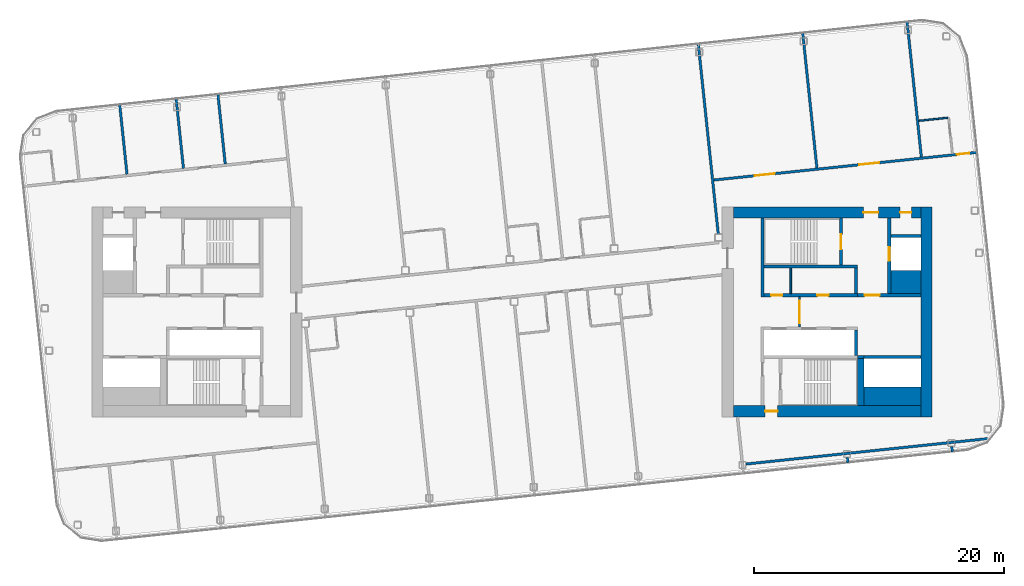
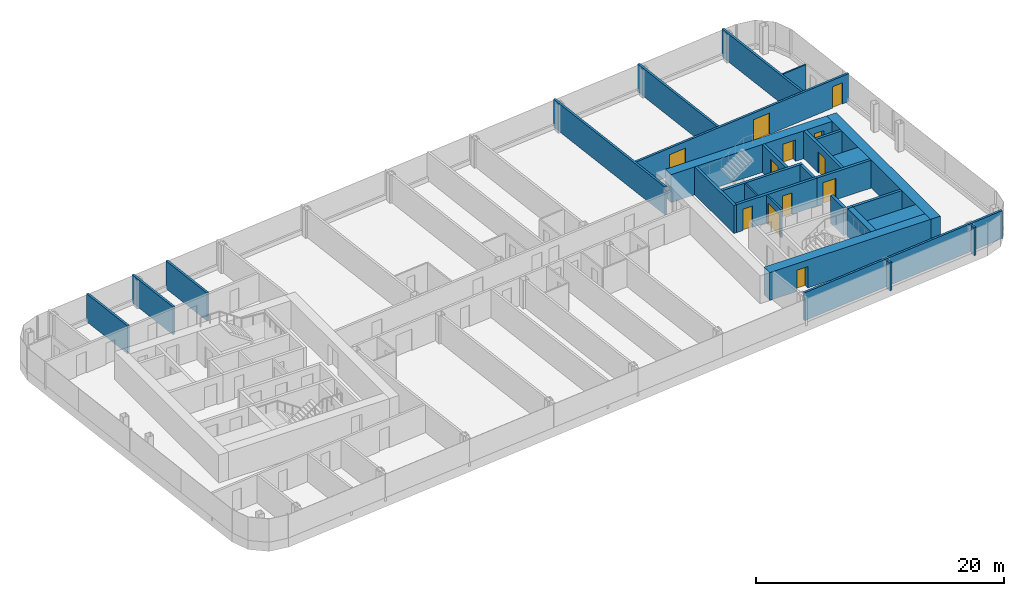
# One storey, part 17 of 27: 30 walls, 12 doors, 12 openings.
"""IFC4 building model written with IfcOpenShell, lengths in metres."""

import ifcopenshell
import ifcopenshell.guid

model = None  # the IFC model being written
_history = None  # IfcOwnerHistory: only IFC2X3 demands one
_inside = {}  # id of a spatial element -> (the spatial element, [elements in it])
_under = {}  # id of a project, library or spatial element -> (it, [spatial elements below it])
_declared = {}  # id of a project -> (the project, [libraries it declares])
_typed = {}  # id of a type object -> (the type object, [elements of that type])
_made_of = {}  # id of a material, layer set ... -> (it, [elements and type objects made of it])


def new_model(schema):
    """Start an empty IFC model of exactly this schema.

    Asked for "IFC4X3", IfcOpenShell would pick the latest addendum, in which some entities
    have other attributes; the version numbers below select the first issue.
    IFC2X3 requires an IfcOwnerHistory on every rooted entity: one is made here for all.
    """
    global model, _history
    if schema == "IFC4X3":
        model = ifcopenshell.file(schema_version=(4, 3, 0, 0))
    else:
        model = ifcopenshell.file(schema=schema)
    _inside.clear()
    _under.clear()
    _declared.clear()
    _typed.clear()
    _made_of.clear()
    _history = None
    if model.schema == "IFC2X3":
        org = make("IfcOrganization", Name="unknown")
        user = make(
            "IfcPersonAndOrganization",
            ThePerson=make("IfcPerson", FamilyName="unknown"),
            TheOrganization=org,
        )
        app = make(
            "IfcApplication",
            ApplicationDeveloper=org,
            Version="unknown",
            ApplicationFullName="unknown",
            ApplicationIdentifier="unknown",
        )
        _history = make(
            "IfcOwnerHistory",
            OwningUser=user,
            OwningApplication=app,
            ChangeAction="ADDED",
            CreationDate=0,
        )
    return model


def make(cls, **values):
    """One entity of the class cls with the attributes given. An attribute that is None is left unset."""
    return model.create_entity(
        cls, **{name: value for name, value in values.items() if value is not None}
    )


def rooted(cls, **values):
    """An entity with a GlobalId (a new one), such as an element, a storey or a relation."""
    return make(cls, GlobalId=ifcopenshell.guid.new(), OwnerHistory=_history, **values)


def si_unit(unit_type, name, prefix=None):
    """IfcSIUnit, for example si_unit("LENGTHUNIT", "METRE", prefix="MILLI")."""
    return make("IfcSIUnit", UnitType=unit_type, Prefix=prefix, Name=name)


def assignment(units):
    """IfcUnitAssignment: the units of a project."""
    return None if units is None else make("IfcUnitAssignment", Units=units)


def point(xyz):
    """IfcCartesianPoint."""
    return None if xyz is None else make("IfcCartesianPoint", Coordinates=xyz)


def direction(xyz):
    """IfcDirection."""
    return None if xyz is None else make("IfcDirection", DirectionRatios=xyz)


def frame(location, z_axis=None, x_axis=None):
    """IfcAxis2Placement3D, a coordinate frame: its origin and axes. An axis left out is left unset."""
    return make(
        "IfcAxis2Placement3D",
        Location=point(location),
        Axis=direction(z_axis),
        RefDirection=direction(x_axis),
    )


def frame_2d(location, x_axis=None):
    """IfcAxis2Placement2D, a coordinate frame in the plane: its origin and x axis."""
    return make(
        "IfcAxis2Placement2D", Location=point(location), RefDirection=direction(x_axis)
    )


def origin():
    """The frame at (0, 0, 0) with its axes left unset."""
    return frame((0.0, 0.0, 0.0))


def place(relative_to, where):
    """IfcLocalPlacement: puts the frame where relative to a parent placement (None: the world)."""
    return make(
        "IfcLocalPlacement", PlacementRelTo=relative_to, RelativePlacement=where
    )


def context(
    kind, dimensions, precision=None, world=None, true_north=None, identifier=None
):
    """IfcGeometricRepresentationContext, for example the 3D "Model" context."""
    return make(
        "IfcGeometricRepresentationContext",
        ContextIdentifier=identifier,
        ContextType=kind,
        CoordinateSpaceDimension=dimensions,
        Precision=precision,
        WorldCoordinateSystem=world,
        TrueNorth=true_north,
    )


def subcontext(parent, identifier, kind, view, scale=None):
    """IfcGeometricRepresentationSubContext, for example "Body" below "Model"."""
    return make(
        "IfcGeometricRepresentationSubContext",
        ContextIdentifier=identifier,
        ContextType=kind,
        ParentContext=parent,
        TargetScale=scale,
        TargetView=view,
    )


def project(units=None, contexts=None):
    """IfcProject with its units and contexts."""
    return rooted(
        "IfcProject",
        Name="project",
        RepresentationContexts=contexts,
        UnitsInContext=assignment(units),
    )


def spatial(cls, under=None, at=None, **own):
    """A site, building, storey or space (cls), placed at a placement, below another one or the project."""
    s = rooted(cls, ObjectPlacement=at, **own)
    if under is not None:
        _under.setdefault(under.id(), (under, []))[1].append(s)
    return s


def profile(cls, at=None, kind="AREA", **sizes):
    """A parametric profile (cls). Its sizes go by their IFC names, for example OverallWidth=200.0."""
    return make(cls, ProfileType=kind, Position=at, **sizes)


def rectangle(**sizes):
    """IfcRectangleProfileDef."""
    return profile("IfcRectangleProfileDef", **sizes)


def extrude(swept, where, along, depth):
    """IfcExtrudedAreaSolid: the profile swept, set in the frame where, extruded along a direction by depth."""
    return make(
        "IfcExtrudedAreaSolid",
        SweptArea=swept,
        Position=where,
        ExtrudedDirection=direction(along),
        Depth=depth,
    )


def shape(context_of_items, identifier, shape_type, items):
    """IfcShapeRepresentation: the items that make up one representation, for example the "Body"."""
    return make(
        "IfcShapeRepresentation",
        ContextOfItems=context_of_items,
        RepresentationIdentifier=identifier,
        RepresentationType=shape_type,
        Items=items,
    )


def material(Name=None, Category=None):
    """IfcMaterial."""
    return make("IfcMaterial", Name=Name, Category=Category)


def layer(
    of_material, thickness, ventilated=None, Name=None, Category=None, Priority=None
):
    """IfcMaterialLayer: one layer of a wall or slab, of a material (None: an air gap)."""
    return make(
        "IfcMaterialLayer",
        Material=of_material,
        LayerThickness=thickness,
        IsVentilated=ventilated,
        Name=Name,
        Category=Category,
        Priority=Priority,
    )


def layer_set(layers, Name=None):
    """IfcMaterialLayerSet."""
    return make("IfcMaterialLayerSet", MaterialLayers=layers, LayerSetName=Name)


def made_of(thing, what):
    """Note that an element or type object is made of a material, layer set ...; save() writes the relation."""
    if what is not None:
        _made_of.setdefault(what.id(), (what, []))[1].append(thing)
    return thing


def type_object(cls, material=None, **own):
    """A type object (cls), such as IfcWallType, which elements share."""
    return made_of(rooted(cls, **own), material)


def element(
    cls,
    number,
    at=None,
    inside=None,
    cuts=None,
    type_object=None,
    material=None,
    context=None,
    identifier="Body",
    shape_type=None,
    held_by="IfcProductDefinitionShape",
    body=None,
    shapes=None,
    **own,
):
    """One element of the class cls, such as IfcWall. Its Tag is "e" and its number.

    at: its placement. inside: the storey or other place that contains it. cuts: it is an
    opening in that element (IfcRelVoidsElement). A single representation is given by context,
    identifier, shape_type and body (its items); several are given by shapes. held_by: the class
    of the entity that holds the representations. save() writes the other relations.
    """
    e = rooted(cls, Tag="e%d" % number, ObjectPlacement=at, **own)
    if body is not None:
        shapes = [shape(context, identifier, shape_type, body)]
    if shapes is not None:
        e.Representation = make(held_by, Representations=shapes)
    if inside is not None:
        _inside.setdefault(inside.id(), (inside, []))[1].append(e)
    if cuts is not None:
        rooted(
            "IfcRelVoidsElement", RelatingBuildingElement=cuts, RelatedOpeningElement=e
        )
    if type_object is not None:
        _typed.setdefault(type_object.id(), (type_object, []))[1].append(e)
    return made_of(e, material)


def fill(opening, filler):
    """IfcRelFillsElement: the door or window that sits in an opening."""
    return rooted(
        "IfcRelFillsElement",
        RelatingOpeningElement=opening,
        RelatedBuildingElement=filler,
    )


def aggregate(whole, parts):
    """IfcRelAggregates: a whole, such as a stair, and the parts it consists of."""
    return rooted("IfcRelAggregates", RelatingObject=whole, RelatedObjects=parts)


def save(model, path):
    """Write the relations noted so far, then the file.

    IfcRelAggregates (storeys below a building ...), IfcRelContainedInSpatialStructure (elements
    in a storey), IfcRelDefinesByType, IfcRelAssociatesMaterial and IfcRelDeclares: one each for
    every whole, place, type object, material and project.
    """
    for whole, parts in _under.values():
        aggregate(whole, parts)
    for where, things in _inside.values():
        rooted(
            "IfcRelContainedInSpatialStructure",
            RelatedElements=things,
            RelatingStructure=where,
        )
    for kind, things in _typed.values():
        rooted("IfcRelDefinesByType", RelatedObjects=things, RelatingType=kind)
    for what, things in _made_of.values():
        rooted("IfcRelAssociatesMaterial", RelatedObjects=things, RelatingMaterial=what)
    for by, libraries in _declared.values():
        rooted("IfcRelDeclares", RelatingContext=by, RelatedDefinitions=libraries)
    model.write(path)


model = new_model("IFC4")

# Units and contexts
model_context = context("Model", 3, precision=1e-05, world=origin(), true_north=direction((0.0, 1.0)))
body_context = subcontext(model_context, "Body", "Model", "MODEL_VIEW")
ifc_project = project(units=[si_unit("LENGTHUNIT", "METRE"), si_unit("AREAUNIT", "SQUARE_METRE"), si_unit("VOLUMEUNIT", "CUBIC_METRE"), si_unit("PLANEANGLEUNIT", "RADIAN"), si_unit("MASSUNIT", "GRAM", prefix="KILO")], contexts=[model_context])

# Site, building, storey
site_placement = place(None, origin())
site = spatial("IfcSite", under=ifc_project, at=site_placement, CompositionType="ELEMENT")
building_placement = place(site_placement, origin())
building = spatial("IfcBuilding", under=site, at=building_placement, Name="Hakoniwa Tower and Hamabe Station Hall", CompositionType="ELEMENT")
storey_placement = place(building_placement, frame((0.0, 0.0, 248.60009765625)))
storey = spatial("IfcBuildingStorey", under=building, at=storey_placement, Name="L70", CompositionType="ELEMENT", Elevation=248.60009765625)

# Wall
ifc_material_1 = material(Name="Gypsum board partition", Category="gypsum")
ifc_layer_1 = layer(ifc_material_1, 0.125)
ifc_layer_set_1 = layer_set([ifc_layer_1], Name="Bathroom Partition 125")
wall_type_1 = type_object("IfcWallType", Name="Bathroom Partition 125", PredefinedType="PARTITIONING", material=ifc_layer_set_1)
wall_1_placement = place(storey_placement, frame((32.5419921875, 15.283203125, 0.0), z_axis=(0.0, 0.0, 1.0), x_axis=(0.994519751088, 0.104548862722, 0.0)))
element("IfcWall", 1, at=wall_1_placement, inside=storey, type_object=wall_type_1, Name="GW-L70-013", PredefinedType="PARTITIONING", context=body_context, shape_type="SweptSolid", body=[
    extrude(rectangle(XDim=2.33740234375, YDim=0.125, at=frame_2d((1.168701171875, 0.0))), origin(), (0.0, 0.0, 1.0), 2.75),
])

# Wall, opening, door
ifc_material_2 = material(Name="Gypsum board partition")
ifc_layer_2 = layer(ifc_material_2, 0.14990234375)
ifc_layer_set_2 = layer_set([ifc_layer_2], Name="CORE PARTITION 150 EI 60")
wall_type_2 = type_object("IfcWallType", Name="CORE PARTITION 150 EI 60", PredefinedType="PARTITIONING", material=ifc_layer_set_2)
wall_2_placement = place(storey_placement, frame((23.0, -1.199951171875, 0.0), z_axis=(0.0, 0.0, 1.0), x_axis=(0.0, 1.0, 0.0)))
wall_2 = element("IfcWall", 2, at=wall_2_placement, inside=storey, type_object=wall_type_2, Name="Core partition PL0 east", PredefinedType="PARTITIONING", context=body_context, shape_type="SweptSolid", body=[
    extrude(rectangle(XDim=2.39990234375, YDim=0.14990234375, at=frame_2d((1.199951171875, 0.0))), origin(), (0.0, 0.0, 1.0), 2.75),
])
opening_1_placement = place(wall_2_placement, frame((0.300048828125, 0.0, 0.0)))
opening_1 = element("IfcOpeningElement", 3, at=opening_1_placement, cuts=wall_2, Name="Opening CD-E-LP0-18", PredefinedType="OPENING", context=body_context, shape_type="SweptSolid", body=[
    extrude(rectangle(XDim=1.800048828125, YDim=2.10009765625, at=frame_2d((0.89990234375, 1.050048828125))), frame((0.0, 0.0849609375, 0.0), z_axis=(0.0, -1.0, 0.0), x_axis=(1.0, 0.0, 0.0)), (0.0, 0.0, 1.0), 0.169921875),
])
ifc_material_3 = material(Name="Steel fire door", Category="steel")
door_type_1 = type_object("IfcDoorType", Name="CORE DOOR 1800 FD60", OperationType="DOUBLE_DOOR_SINGLE_SWING", PredefinedType="DOOR", material=ifc_material_3)
door_1_placement = place(opening_1_placement, origin())
door_1 = element("IfcDoor", 4, at=door_1_placement, inside=storey, type_object=door_type_1, Name="Lift lobby partition door", OperationType="DOUBLE_DOOR_SINGLE_SWING", OverallHeight=2.10009765625, OverallWidth=1.800048828125, PredefinedType="DOOR", context=body_context, shape_type="SweptSolid", body=[
    extrude(rectangle(XDim=1.800048828125, YDim=2.10009765625, at=frame_2d((0.89990234375, 1.050048828125))), frame((0.0, 0.02490234375, 0.0), z_axis=(0.0, -1.0, 0.0), x_axis=(1.0, 0.0, 0.0)), (0.0, 0.0, 1.0), 0.050048828125),
])
fill(opening_1, door_1)

# Walls
wall_3_placement = place(storey_placement, frame((22.300048828125, 1.449951171875, 0.0), z_axis=(0.0, 0.0, 1.0), x_axis=(0.0, 1.0, 0.0)))
element("IfcWall", 5, at=wall_3_placement, inside=storey, type_object=wall_type_2, Name="Core partition PFLR0 east", PredefinedType="PARTITIONING", context=body_context, shape_type="SweptSolid", body=[
    extrude(rectangle(XDim=2.050048828125, YDim=0.14990234375, at=frame_2d((1.02490234375, 0.0))), origin(), (0.0, 0.0, 1.0), 2.75),
])
ifc_material_4 = material(Name="Concrete C60", Category="concrete")
ifc_layer_3 = layer(ifc_material_4, 0.89990234375)
ifc_layer_set_3 = layer_set([ifc_layer_3], Name="CORE WALL 900 C60")
wall_type_3 = type_object("IfcWallType", Name="CORE WALL 900 C60", PredefinedType="SHEAR", material=ifc_layer_set_3)
wall_4_placement = place(storey_placement, frame((33.14990234375, -8.39990234375, 0.0), z_axis=(0.0, 0.0, 1.0), x_axis=(0.0, 1.0, 0.0)))
element("IfcWall", 6, at=wall_4_placement, inside=storey, type_object=wall_type_3, Name="Core wall OUTER east", PredefinedType="SHEAR", context=body_context, shape_type="SweptSolid", body=[
    extrude(rectangle(XDim=16.7998046875, YDim=0.89990234375, at=frame_2d((8.39990234375, 0.0))), origin(), (0.0, 0.0, 1.0), 2.75),
])

# Wall, openings, doors
wall_5_placement = place(storey_placement, frame((17.699951171875, 7.949951171875, 0.0), z_axis=(0.0, 0.0, 1.0), x_axis=(1.0, 0.0, 0.0)))
wall_5 = element("IfcWall", 7, at=wall_5_placement, inside=storey, type_object=wall_type_3, Name="Core wall NORTH east", PredefinedType="SHEAR", context=body_context, shape_type="SweptSolid", body=[
    extrude(rectangle(XDim=15.0, YDim=0.89990234375, at=frame_2d((7.5, 0.0))), origin(), (0.0, 0.0, 1.0), 2.75),
])
opening_2_placement = place(wall_5_placement, frame((10.39990234375, 0.0, 0.0)))
opening_2 = element("IfcOpeningElement", 8, at=opening_2_placement, cuts=wall_5, Name="Opening CD-E-FN1-12", PredefinedType="OPENING", context=body_context, shape_type="SweptSolid", body=[
    extrude(rectangle(XDim=1.199951171875, YDim=2.10009765625, at=frame_2d((0.60009765625, 1.050048828125))), frame((0.0, 0.4599609375, 0.0), z_axis=(0.0, -1.0, 0.0), x_axis=(1.0, 0.0, 0.0)), (0.0, 0.0, 1.0), 0.919921875),
])
opening_3_placement = place(wall_5_placement, frame((13.35009765625, 0.0, 0.0)))
opening_3 = element("IfcOpeningElement", 9, at=opening_3_placement, cuts=wall_5, Name="Opening CD-E-FN2-9", PredefinedType="OPENING", context=body_context, shape_type="SweptSolid", body=[
    extrude(rectangle(XDim=0.89990234375, YDim=2.10009765625, at=frame_2d((0.449951171875, 1.050048828125))), frame((0.0, 0.4599609375, 0.0), z_axis=(0.0, -1.0, 0.0), x_axis=(1.0, 0.0, 0.0)), (0.0, 0.0, 1.0), 0.919921875),
])
ifc_material_5 = material(Name="Steel fire door", Category="steel")
door_type_2 = type_object("IfcDoorType", Name="CORE DOOR 1200 FD60", OperationType="DOUBLE_DOOR_SINGLE_SWING", PredefinedType="DOOR", material=ifc_material_5)
door_2_placement = place(opening_2_placement, origin())
door_2 = element("IfcDoor", 10, at=door_2_placement, inside=storey, type_object=door_type_2, Name="Stair vestibule door to the fire-fighting lobby", OperationType="DOUBLE_DOOR_SINGLE_SWING", OverallHeight=2.10009765625, OverallWidth=1.199951171875, PredefinedType="DOOR", context=body_context, shape_type="SweptSolid", body=[
    extrude(rectangle(XDim=1.199951171875, YDim=2.10009765625, at=frame_2d((0.60009765625, 1.050048828125))), frame((0.0, 0.02490234375, 0.0), z_axis=(0.0, -1.0, 0.0), x_axis=(1.0, 0.0, 0.0)), (0.0, 0.0, 1.0), 0.050048828125),
])
fill(opening_2, door_2)
ifc_material_6 = material(Name="Steel fire door", Category="steel")
door_type_3 = type_object("IfcDoorType", Name="CORE DOOR 900 FD30", OperationType="NOTDEFINED", PredefinedType="DOOR", material=ifc_material_6)
door_3_placement = place(opening_3_placement, origin())
door_3 = element("IfcDoor", 11, at=door_3_placement, inside=storey, type_object=door_type_3, Name="Riser access door", OperationType="SINGLE_SWING_RIGHT", OverallHeight=2.10009765625, OverallWidth=0.89990234375, PredefinedType="DOOR", context=body_context, shape_type="SweptSolid", body=[
    extrude(rectangle(XDim=0.89990234375, YDim=2.10009765625, at=frame_2d((0.449951171875, 1.050048828125))), frame((0.0, 0.02490234375, 0.0), z_axis=(0.0, -1.0, 0.0), x_axis=(1.0, 0.0, 0.0)), (0.0, 0.0, 1.0), 0.050048828125),
])
fill(opening_3, door_3)

# Wall, opening, door
wall_6_placement = place(storey_placement, frame((17.699951171875, -7.949951171875, 0.0), z_axis=(0.0, 0.0, 1.0), x_axis=(1.0, 0.0, 0.0)))
wall_6 = element("IfcWall", 12, at=wall_6_placement, inside=storey, type_object=wall_type_3, Name="Core wall SOUTH east", PredefinedType="SHEAR", context=body_context, shape_type="SweptSolid", body=[
    extrude(rectangle(XDim=15.0, YDim=0.89990234375, at=frame_2d((7.5, 0.0))), origin(), (0.0, 0.0, 1.0), 2.75),
])
opening_4_placement = place(wall_6_placement, frame((2.550048828125, 0.0, 0.0)))
opening_4 = element("IfcOpeningElement", 13, at=opening_4_placement, cuts=wall_6, Name="Opening CD-E-FS3-10", PredefinedType="OPENING", context=body_context, shape_type="SweptSolid", body=[
    extrude(rectangle(XDim=1.0, YDim=2.10009765625, at=frame_2d((0.5, 1.050048828125))), frame((0.0, 0.4599609375, 0.0), z_axis=(0.0, -1.0, 0.0), x_axis=(1.0, 0.0, 0.0)), (0.0, 0.0, 1.0), 0.919921875),
])
ifc_material_7 = material(Name="Steel fire door", Category="steel")
door_type_4 = type_object("IfcDoorType", Name="CORE DOOR 1000 FD60", OperationType="NOTDEFINED", PredefinedType="DOOR", material=ifc_material_7)
door_4_placement = place(opening_4_placement, origin())
door_4 = element("IfcDoor", 14, at=door_4_placement, inside=storey, type_object=door_type_4, Name="Stair vestibule door", OperationType="SINGLE_SWING_RIGHT", OverallHeight=2.10009765625, OverallWidth=1.0, PredefinedType="DOOR", context=body_context, shape_type="SweptSolid", body=[
    extrude(rectangle(XDim=1.0, YDim=2.10009765625, at=frame_2d((0.5, 1.050048828125))), frame((0.0, 0.02490234375, 0.0), z_axis=(0.0, -1.0, 0.0), x_axis=(1.0, 0.0, 0.0)), (0.0, 0.0, 1.0), 0.050048828125),
])
fill(opening_4, door_4)

# Walls
ifc_material_8 = material(Name="Concrete C60", Category="concrete")
ifc_layer_4 = layer(ifc_material_8, 1.5)
ifc_layer_set_4 = layer_set([ifc_layer_4], Name="CORE WEB WALL 1500 C60")
wall_type_4 = type_object("IfcWallType", Name="CORE WEB WALL 1500 C60", PredefinedType="SHEAR", material=ifc_layer_set_4)
wall_7_placement = place(storey_placement, frame((28.14990234375, -6.75, 0.0), z_axis=(0.0, 0.0, 1.0), x_axis=(1.0, 0.0, 0.0)))
element("IfcWall", 15, at=wall_7_placement, inside=storey, type_object=wall_type_4, Name="Core wall SER east", PredefinedType="SHEAR", context=body_context, shape_type="SweptSolid", body=[
    extrude(rectangle(XDim=4.550048828125, YDim=1.5, at=frame_2d((2.27490234375, 0.0))), origin(), (0.0, 0.0, 1.0), 2.75),
])
ifc_material_9 = material(Name="Concrete C60", Category="concrete")
ifc_layer_5 = layer(ifc_material_9, 1.85009765625)
ifc_layer_set_5 = layer_set([ifc_layer_5], Name="CORE WEB WALL 1850 C60")
wall_type_5 = type_object("IfcWallType", Name="CORE WEB WALL 1850 C60", PredefinedType="SHEAR", material=ifc_layer_set_5)
wall_8_placement = place(storey_placement, frame((30.300048828125, 2.375, 0.0), z_axis=(0.0, 0.0, 1.0), x_axis=(1.0, 0.0, 0.0)))
element("IfcWall", 16, at=wall_8_placement, inside=storey, type_object=wall_type_5, Name="Core wall CA east", PredefinedType="SHEAR", context=body_context, shape_type="SweptSolid", body=[
    extrude(rectangle(XDim=2.39990234375, YDim=1.85009765625, at=frame_2d((1.199951171875, 0.0))), origin(), (0.0, 0.0, 1.0), 2.75),
])
ifc_material_10 = material(Name="Concrete C60", Category="concrete")
ifc_layer_6 = layer(ifc_material_10, 0.25)
ifc_layer_set_6 = layer_set([ifc_layer_6], Name="CORE WEB WALL 250 C60")
wall_type_6 = type_object("IfcWallType", Name="CORE WEB WALL 250 C60", PredefinedType="SHEAR", material=ifc_layer_set_6)
wall_9_placement = place(storey_placement, frame((20.02490234375, 1.199951171875, 0.0), z_axis=(0.0, 0.0, 1.0), x_axis=(0.0, 1.0, 0.0)))
element("IfcWall", 17, at=wall_9_placement, inside=storey, type_object=wall_type_6, Name="Core wall W1N east", PredefinedType="SHEAR", context=body_context, shape_type="SweptSolid", body=[
    extrude(rectangle(XDim=6.300048828125, YDim=0.25, at=frame_2d((3.14990234375, 0.0))), origin(), (0.0, 0.0, 1.0), 2.75),
])

# Wall, openings, doors
wall_10_placement = place(storey_placement, frame((20.14990234375, 1.324951171875, 0.0), z_axis=(0.0, 0.0, 1.0), x_axis=(1.0, 0.0, 0.0)))
wall_10 = element("IfcWall", 18, at=wall_10_placement, inside=storey, type_object=wall_type_6, Name="Core wall NF east", PredefinedType="SHEAR", context=body_context, shape_type="SweptSolid", body=[
    extrude(rectangle(XDim=7.5, YDim=0.25, at=frame_2d((3.75, 0.0))), origin(), (0.0, 0.0, 1.0), 2.75),
])
opening_5_placement = place(wall_10_placement, frame((0.58740234375, 0.0, 0.0)))
opening_5 = element("IfcOpeningElement", 19, at=opening_5_placement, cuts=wall_10, Name="Opening CD-E-FRLR0-9", PredefinedType="OPENING", context=body_context, shape_type="SweptSolid", body=[
    extrude(rectangle(XDim=0.89990234375, YDim=2.10009765625, at=frame_2d((0.449951171875, 1.050048828125))), frame((0.0, 0.135009765625, 0.0), z_axis=(0.0, -1.0, 0.0), x_axis=(1.0, 0.0, 0.0)), (0.0, 0.0, 1.0), 0.27001953125),
])
opening_6_placement = place(wall_10_placement, frame((4.28759765625, 0.0, 0.0)))
opening_6 = element("IfcOpeningElement", 20, at=opening_6_placement, cuts=wall_10, Name="Opening CD-E-FRLR1-9", PredefinedType="OPENING", context=body_context, shape_type="SweptSolid", body=[
    extrude(rectangle(XDim=0.89990234375, YDim=2.10009765625, at=frame_2d((0.449951171875, 1.050048828125))), frame((0.0, 0.135009765625, 0.0), z_axis=(0.0, -1.0, 0.0), x_axis=(1.0, 0.0, 0.0)), (0.0, 0.0, 1.0), 0.27001953125),
])
door_5_placement = place(opening_5_placement, origin())
door_5 = element("IfcDoor", 21, at=door_5_placement, inside=storey, type_object=door_type_3, Name="Store room door", OperationType="SINGLE_SWING_RIGHT", OverallHeight=2.10009765625, OverallWidth=0.89990234375, PredefinedType="DOOR", context=body_context, shape_type="SweptSolid", body=[
    extrude(rectangle(XDim=0.89990234375, YDim=2.10009765625, at=frame_2d((0.449951171875, 1.050048828125))), frame((0.0, 0.02490234375, 0.0), z_axis=(0.0, -1.0, 0.0), x_axis=(1.0, 0.0, 0.0)), (0.0, 0.0, 1.0), 0.050048828125),
])
fill(opening_5, door_5)
door_6_placement = place(opening_6_placement, origin())
door_6 = element("IfcDoor", 22, at=door_6_placement, inside=storey, type_object=door_type_3, Name="Store room door", OperationType="SINGLE_SWING_RIGHT", OverallHeight=2.10009765625, OverallWidth=0.89990234375, PredefinedType="DOOR", context=body_context, shape_type="SweptSolid", body=[
    extrude(rectangle(XDim=0.89990234375, YDim=2.10009765625, at=frame_2d((0.449951171875, 1.050048828125))), frame((0.0, 0.02490234375, 0.0), z_axis=(0.0, -1.0, 0.0), x_axis=(1.0, 0.0, 0.0)), (0.0, 0.0, 1.0), 0.050048828125),
])
fill(opening_6, door_6)

# Walls
wall_11_placement = place(storey_placement, frame((27.52490234375, 1.449951171875, 0.0), z_axis=(0.0, 0.0, 1.0), x_axis=(0.0, 1.0, 0.0)))
element("IfcWall", 23, at=wall_11_placement, inside=storey, type_object=wall_type_6, Name="Core wall NE east", PredefinedType="SHEAR", context=body_context, shape_type="SweptSolid", body=[
    extrude(rectangle(XDim=2.050048828125, YDim=0.25, at=frame_2d((1.02490234375, 0.0))), origin(), (0.0, 0.0, 1.0), 2.75),
])
wall_12_placement = place(storey_placement, frame((20.14990234375, 3.625, 0.0), z_axis=(0.0, 0.0, 1.0), x_axis=(1.0, 0.0, 0.0)))
element("IfcWall", 24, at=wall_12_placement, inside=storey, type_object=wall_type_6, Name="Core wall NR east", PredefinedType="SHEAR", context=body_context, shape_type="SweptSolid", body=[
    extrude(rectangle(XDim=7.5, YDim=0.25, at=frame_2d((3.75, 0.0))), origin(), (0.0, 0.0, 1.0), 2.75),
])

# Wall, opening, door
wall_13_placement = place(storey_placement, frame((26.324951171875, 3.75, 0.0), z_axis=(0.0, 0.0, 1.0), x_axis=(0.0, 1.0, 0.0)))
wall_13 = element("IfcWall", 25, at=wall_13_placement, inside=storey, type_object=wall_type_6, Name="Core wall NSE east", PredefinedType="SHEAR", context=body_context, shape_type="SweptSolid", body=[
    extrude(rectangle(XDim=3.75, YDim=0.25, at=frame_2d((1.875, 0.0))), origin(), (0.0, 0.0, 1.0), 2.75),
])
opening_7_placement = place(wall_13_placement, frame((1.25, 0.0, 0.0)))
opening_7 = element("IfcOpeningElement", 26, at=opening_7_placement, cuts=wall_13, Name="Opening CD-E-SN-12", PredefinedType="OPENING", context=body_context, shape_type="SweptSolid", body=[
    extrude(rectangle(XDim=1.199951171875, YDim=2.10009765625, at=frame_2d((0.60009765625, 1.050048828125))), frame((0.0, 0.135009765625, 0.0), z_axis=(0.0, -1.0, 0.0), x_axis=(1.0, 0.0, 0.0)), (0.0, 0.0, 1.0), 0.27001953125),
])
door_7_placement = place(opening_7_placement, origin())
door_7 = element("IfcDoor", 27, at=door_7_placement, inside=storey, type_object=door_type_2, Name="Escape stair door", OperationType="DOUBLE_DOOR_SINGLE_SWING", OverallHeight=2.10009765625, OverallWidth=1.199951171875, PredefinedType="DOOR", context=body_context, shape_type="SweptSolid", body=[
    extrude(rectangle(XDim=1.199951171875, YDim=2.10009765625, at=frame_2d((0.60009765625, 1.050048828125))), frame((0.0, 0.02490234375, 0.0), z_axis=(0.0, -1.0, 0.0), x_axis=(1.0, 0.0, 0.0)), (0.0, 0.0, 1.0), 0.050048828125),
])
fill(opening_7, door_7)

wall_14_placement = place(storey_placement, frame((27.64990234375, 1.324951171875, 0.0), z_axis=(0.0, 0.0, 1.0), x_axis=(1.0, 0.0, 0.0)))
wall_14 = element("IfcWall", 28, at=wall_14_placement, inside=storey, type_object=wall_type_6, Name="Core wall ELN east", PredefinedType="SHEAR", context=body_context, shape_type="SweptSolid", body=[
    extrude(rectangle(XDim=5.050048828125, YDim=0.25, at=frame_2d((2.52490234375, 0.0))), origin(), (0.0, 0.0, 1.0), 2.75),
])
opening_8_placement = place(wall_14_placement, frame((0.550048828125, 0.0, 0.0)))
opening_8 = element("IfcOpeningElement", 29, at=opening_8_placement, cuts=wall_14, Name="Opening CD-E-FL-12", PredefinedType="OPENING", context=body_context, shape_type="SweptSolid", body=[
    extrude(rectangle(XDim=1.199951171875, YDim=2.10009765625, at=frame_2d((0.60009765625, 1.050048828125))), frame((0.0, 0.135009765625, 0.0), z_axis=(0.0, -1.0, 0.0), x_axis=(1.0, 0.0, 0.0)), (0.0, 0.0, 1.0), 0.27001953125),
])
door_8_placement = place(opening_8_placement, origin())
door_8 = element("IfcDoor", 30, at=door_8_placement, inside=storey, type_object=door_type_2, Name="Stair vestibule door to the fire-fighting lobby", OperationType="DOUBLE_DOOR_SINGLE_SWING", OverallHeight=2.10009765625, OverallWidth=1.199951171875, PredefinedType="DOOR", context=body_context, shape_type="SweptSolid", body=[
    extrude(rectangle(XDim=1.199951171875, YDim=2.10009765625, at=frame_2d((0.60009765625, 1.050048828125))), frame((0.0, 0.02490234375, 0.0), z_axis=(0.0, -1.0, 0.0), x_axis=(1.0, 0.0, 0.0)), (0.0, 0.0, 1.0), 0.050048828125),
])
fill(opening_8, door_8)

wall_15_placement = place(storey_placement, frame((30.175048828125, 1.449951171875, 0.0), z_axis=(0.0, 0.0, 1.0), x_axis=(0.0, 1.0, 0.0)))
wall_15 = element("IfcWall", 31, at=wall_15_placement, inside=storey, type_object=wall_type_6, Name="Core wall FFF east", PredefinedType="SHEAR", context=body_context, shape_type="SweptSolid", body=[
    extrude(rectangle(XDim=6.050048828125, YDim=0.25, at=frame_2d((3.02490234375, 0.0))), origin(), (0.0, 0.0, 1.0), 2.75),
])
opening_9_placement = place(wall_15_placement, frame((2.625, 0.0, 0.0)))
opening_9 = element("IfcOpeningElement", 32, at=opening_9_placement, cuts=wall_15, Name="Opening LD-FF2", PredefinedType="OPENING", context=body_context, shape_type="SweptSolid", body=[
    extrude(rectangle(XDim=1.10009765625, YDim=2.10009765625, at=frame_2d((0.550048828125, 1.050048828125))), frame((0.0, 0.135009765625, 0.0), z_axis=(0.0, -1.0, 0.0), x_axis=(1.0, 0.0, 0.0)), (0.0, 0.0, 1.0), 0.27001953125),
])
ifc_material_11 = material(Name="Stainless steel SUS304", Category="steel")
door_type_5 = type_object("IfcDoorType", Name="LIFT LANDING DOOR 1100 FD60", OperationType="DOUBLE_DOOR_SLIDING", PredefinedType="DOOR", material=ifc_material_11)
door_9_placement = place(opening_9_placement, origin())
door_9 = element("IfcDoor", 33, at=door_9_placement, inside=storey, type_object=door_type_5, Name="Lift landing door FF2 L70", OperationType="DOUBLE_DOOR_SLIDING", OverallHeight=2.10009765625, OverallWidth=1.10009765625, PredefinedType="DOOR", context=body_context, shape_type="SweptSolid", body=[
    extrude(rectangle(XDim=1.10009765625, YDim=2.10009765625, at=frame_2d((0.550048828125, 1.050048828125))), frame((0.0, 0.02490234375, 0.0), z_axis=(0.0, -1.0, 0.0), x_axis=(1.0, 0.0, 0.0)), (0.0, 0.0, 1.0), 0.050048828125),
])
fill(opening_9, door_9)

# Walls
wall_16_placement = place(storey_placement, frame((30.300048828125, 6.074951171875, 0.0), z_axis=(0.0, 0.0, 1.0), x_axis=(1.0, 0.0, 0.0)))
element("IfcWall", 34, at=wall_16_placement, inside=storey, type_object=wall_type_6, Name="Core wall C2 east", PredefinedType="SHEAR", context=body_context, shape_type="SweptSolid", body=[
    extrude(rectangle(XDim=2.39990234375, YDim=0.25, at=frame_2d((1.199951171875, 0.0))), origin(), (0.0, 0.0, 1.0), 2.75),
])
wall_17_placement = place(storey_placement, frame((27.52490234375, -3.5, 0.0), z_axis=(0.0, 0.0, 1.0), x_axis=(0.0, 1.0, 0.0)))
element("IfcWall", 35, at=wall_17_placement, inside=storey, type_object=wall_type_6, Name="Core wall SE east", PredefinedType="SHEAR", context=body_context, shape_type="SweptSolid", body=[
    extrude(rectangle(XDim=2.050048828125, YDim=0.25, at=frame_2d((1.02490234375, 0.0))), origin(), (0.0, 0.0, 1.0), 2.75),
])
wall_18_placement = place(storey_placement, frame((28.14990234375, -3.625, 0.0), z_axis=(0.0, 0.0, 1.0), x_axis=(1.0, 0.0, 0.0)))
element("IfcWall", 36, at=wall_18_placement, inside=storey, type_object=wall_type_6, Name="Core wall SEF east", PredefinedType="SHEAR", context=body_context, shape_type="SweptSolid", body=[
    extrude(rectangle(XDim=4.550048828125, YDim=0.25, at=frame_2d((2.27490234375, 0.0))), origin(), (0.0, 0.0, 1.0), 2.75),
])
wall_19_placement = place(storey_placement, frame((27.64990234375, -3.625, 0.0), z_axis=(0.0, 0.0, 1.0), x_axis=(1.0, 0.0, 0.0)))
element("IfcWall", 37, at=wall_19_placement, inside=storey, type_object=wall_type_6, Name="Core wall SRK east", PredefinedType="SHEAR", context=body_context, shape_type="SweptSolid", body=[
    extrude(rectangle(XDim=0.5, YDim=0.25, at=frame_2d((0.25, 0.0))), origin(), (0.0, 0.0, 1.0), 2.75),
])
ifc_material_12 = material(Name="Concrete C60", Category="concrete")
ifc_layer_7 = layer(ifc_material_12, 0.5)
ifc_layer_set_7 = layer_set([ifc_layer_7], Name="CORE WEB WALL 500 C60")
wall_type_7 = type_object("IfcWallType", Name="CORE WEB WALL 500 C60", PredefinedType="SHEAR", material=ifc_layer_set_7)
wall_20_placement = place(storey_placement, frame((27.89990234375, -7.5, 0.0), z_axis=(0.0, 0.0, 1.0), x_axis=(0.0, 1.0, 0.0)))
element("IfcWall", 38, at=wall_20_placement, inside=storey, type_object=wall_type_7, Name="Core wall SSE east", PredefinedType="SHEAR", context=body_context, shape_type="SweptSolid", body=[
    extrude(rectangle(XDim=3.75, YDim=0.5, at=frame_2d((1.875, 0.0))), origin(), (0.0, 0.0, 1.0), 2.75),
])
ifc_material_13 = material(Name="Fire-rated gypsum board partition", Category="gypsum")
ifc_layer_8 = layer(ifc_material_13, 0.199951171875)
ifc_layer_set_8 = layer_set([ifc_layer_8], Name="Corridor Wall 200")
wall_type_8 = type_object("IfcWallType", Name="Corridor Wall 200", PredefinedType="PARTITIONING", material=ifc_layer_set_8)
wall_21_placement = place(storey_placement, frame((18.708251953125, -12.17724609375, 0.0), z_axis=(0.0, 0.0, 1.0), x_axis=(0.994521604238, 0.104531233147, 0.0)))
element("IfcWall", 39, at=wall_21_placement, inside=storey, type_object=wall_type_8, Name="GW-L70-001", PredefinedType="PARTITIONING", context=body_context, shape_type="SweptSolid", body=[
    extrude(rectangle(XDim=19.6982421875, YDim=0.199951171875, at=frame_2d((9.84912109375, 0.0))), origin(), (0.0, 0.0, 1.0), 2.75),
])

# Wall, openings, doors
wall_22_placement = place(storey_placement, frame((16.04833984375, 10.533203125, 0.0), z_axis=(0.0, 0.0, 1.0), x_axis=(0.994522460242, 0.104523088709, 0.0)))
wall_22 = element("IfcWall", 40, at=wall_22_placement, inside=storey, type_object=wall_type_8, Name="GW-L70-012", PredefinedType="PARTITIONING", context=body_context, shape_type="SweptSolid", body=[
    extrude(rectangle(XDim=21.2998046875, YDim=0.199951171875, at=frame_2d((10.64990234375, 0.0))), origin(), (0.0, 0.0, 1.0), 2.75),
])
opening_10_placement = place(wall_22_placement, frame((3.39990234375, 0.0, 0.0)))
opening_10 = element("IfcOpeningElement", 41, at=opening_10_placement, cuts=wall_22, Name="Opening GD-G5D0-17", PredefinedType="OPENING", context=body_context, shape_type="SweptSolid", body=[
    extrude(rectangle(XDim=1.60009765625, YDim=2.10009765625, at=frame_2d((0.800048828125, 1.050048828125))), frame((0.0, 0.10986328125, 0.0), z_axis=(0.0, -1.0, 0.0), x_axis=(1.0, 0.0, 0.0)), (0.0, 0.0, 1.0), 0.219970703125),
])
opening_11_placement = place(wall_22_placement, frame((11.800048828125, 0.0, 0.0)))
opening_11 = element("IfcOpeningElement", 42, at=opening_11_placement, cuts=wall_22, Name="Opening GD-G5D0-18", PredefinedType="OPENING", context=body_context, shape_type="SweptSolid", body=[
    extrude(rectangle(XDim=1.60009765625, YDim=2.10009765625, at=frame_2d((0.800048828125, 1.050048828125))), frame((0.0, 0.10986328125, 0.0), z_axis=(0.0, -1.0, 0.0), x_axis=(1.0, 0.0, 0.0)), (0.0, 0.0, 1.0), 0.219970703125),
])
opening_12_placement = place(wall_22_placement, frame((19.64990234375, 0.0, 0.0)))
opening_12 = element("IfcOpeningElement", 43, at=opening_12_placement, cuts=wall_22, Name="Opening GD-G5D0-19", PredefinedType="OPENING", context=body_context, shape_type="SweptSolid", body=[
    extrude(rectangle(XDim=1.0, YDim=2.10009765625, at=frame_2d((0.5, 1.050048828125))), frame((0.0, 0.10986328125, 0.0), z_axis=(0.0, -1.0, 0.0), x_axis=(1.0, 0.0, 0.0)), (0.0, 0.0, 1.0), 0.219970703125),
])
ifc_material_14 = material(Name="Timber door leaf", Category="wood")
door_type_6 = type_object("IfcDoorType", Name="Double Door 1600", OperationType="DOUBLE_DOOR_SINGLE_SWING", PredefinedType="DOOR", material=ifc_material_14)
door_10_placement = place(opening_10_placement, origin())
door_10 = element("IfcDoor", 44, at=door_10_placement, inside=storey, type_object=door_type_6, Name="Door GD-G5D0-17", OperationType="DOUBLE_DOOR_SINGLE_SWING", OverallHeight=2.10009765625, OverallWidth=1.60009765625, PredefinedType="DOOR", context=body_context, shape_type="SweptSolid", body=[
    extrude(rectangle(XDim=1.60009765625, YDim=2.10009765625, at=frame_2d((0.800048828125, 1.050048828125))), frame((0.0, 0.02490234375, 0.0), z_axis=(0.0, -1.0, 0.0), x_axis=(1.0, 0.0, 0.0)), (0.0, 0.0, 1.0), 0.050048828125),
])
fill(opening_10, door_10)
door_11_placement = place(opening_11_placement, origin())
door_11 = element("IfcDoor", 45, at=door_11_placement, inside=storey, type_object=door_type_6, Name="Door GD-G5D0-18", OperationType="DOUBLE_DOOR_SINGLE_SWING", OverallHeight=2.10009765625, OverallWidth=1.60009765625, PredefinedType="DOOR", context=body_context, shape_type="SweptSolid", body=[
    extrude(rectangle(XDim=1.60009765625, YDim=2.10009765625, at=frame_2d((0.800048828125, 1.050048828125))), frame((0.0, 0.02490234375, 0.0), z_axis=(0.0, -1.0, 0.0), x_axis=(1.0, 0.0, 0.0)), (0.0, 0.0, 1.0), 0.050048828125),
])
fill(opening_11, door_11)
ifc_material_15 = material(Name="Timber door leaf", Category="wood")
door_type_7 = type_object("IfcDoorType", Name="Guest Entrance Door 1000", OperationType="SINGLE_SWING_LEFT", PredefinedType="DOOR", material=ifc_material_15)
door_12_placement = place(opening_12_placement, origin())
door_12 = element("IfcDoor", 46, at=door_12_placement, inside=storey, type_object=door_type_7, Name="Door GD-G5D0-19", OperationType="SINGLE_SWING_RIGHT", OverallHeight=2.10009765625, OverallWidth=1.0, PredefinedType="DOOR", context=body_context, shape_type="SweptSolid", body=[
    extrude(rectangle(XDim=1.0, YDim=2.10009765625, at=frame_2d((0.5, 1.050048828125))), frame((0.0, 0.02490234375, 0.0), z_axis=(0.0, -1.0, 0.0), x_axis=(1.0, 0.0, 0.0)), (0.0, 0.0, 1.0), 0.050048828125),
])
fill(opening_12, door_12)

# Walls
ifc_material_16 = material(Name="Fire-rated gypsum board partition", Category="gypsum")
ifc_layer_9 = layer(ifc_material_16, 0.199951171875)
ifc_layer_set_9 = layer_set([ifc_layer_9], Name="Party Wall 200")
wall_type_9 = type_object("IfcWallType", Name="Party Wall 200", PredefinedType="PARTITIONING", material=ifc_layer_set_9)
for number, where, z_axis, x_axis, name in (
    (47, (-30.7978515625, 11.007080078125, 0.0), (0.0, 0.0, 1.0), (-0.104560413987, 0.994518536693, 0.0), "GW-L70-019"),
    (48, (-26.28271484375, 11.481689453125, 0.0), (0.0, 0.0, 1.0), (-0.104560413987, 0.994518536693, 0.0), "GW-L70-022"),
    (49, (-22.941162109375, 11.8330078125, 0.0), (0.0, 0.0, 1.0), (-0.104560413987, 0.994518536693, 0.0), "GW-L70-023"),
):
    element("IfcWall", number, at=place(storey_placement, frame(where, z_axis=z_axis, x_axis=x_axis)), inside=storey, type_object=wall_type_9, Name=name, PredefinedType="PARTITIONING", context=body_context, shape_type="SweptSolid", body=[
        extrude(rectangle(XDim=5.6201171875, YDim=0.199951171875, at=frame_2d((2.81005859375, 0.0))), origin(), (0.0, 0.0, 1.0), 2.75),
    ])
wall_23_placement = place(storey_placement, frame((16.499755859375, 6.23681640625, 0.0), z_axis=(0.0, 0.0, 1.0), x_axis=(-0.104523729364, 0.99452239291, 0.0)))
element("IfcWall", 50, at=wall_23_placement, inside=storey, type_object=wall_type_9, Name="GW-L70-043", PredefinedType="PARTITIONING", context=body_context, shape_type="SweptSolid", body=[
    extrude(rectangle(XDim=15.308349609375, YDim=0.199951171875, at=frame_2d((7.654296875, 0.0))), origin(), (0.0, 0.0, 1.0), 2.75),
])
wall_24_placement = place(storey_placement, frame((26.870361328125, -12.071044921875, 0.0), z_axis=(0.0, 0.0, 1.0), x_axis=(-0.104743412259, 0.994499279833, 0.0)))
element("IfcWall", 51, at=wall_24_placement, inside=storey, type_object=wall_type_9, Name="GW-L70-044", PredefinedType="PARTITIONING", context=body_context, shape_type="SweptSolid", body=[
    extrude(rectangle(XDim=0.43359375, YDim=0.199951171875, at=frame_2d((0.216796875, 0.0))), origin(), (0.0, 0.0, 1.0), 2.75),
])
wall_25_placement = place(storey_placement, frame((24.391845703125, 11.510498046875, 0.0), z_axis=(0.0, 0.0, 1.0), x_axis=(-0.104530717431, 0.994521658444, 0.0)))
element("IfcWall", 52, at=wall_25_placement, inside=storey, type_object=wall_type_9, Name="GW-L70-045", PredefinedType="PARTITIONING", context=body_context, shape_type="SweptSolid", body=[
    extrude(rectangle(XDim=10.888427734375, YDim=0.199951171875, at=frame_2d((5.4443359375, 0.0))), origin(), (0.0, 0.0, 1.0), 2.75),
])
wall_26_placement = place(storey_placement, frame((35.224365234375, -11.193115234375, 0.0), z_axis=(0.0, 0.0, 1.0), x_axis=(-0.104743412259, 0.994499279833, 0.0)))
element("IfcWall", 53, at=wall_26_placement, inside=storey, type_object=wall_type_9, Name="GW-L70-046", PredefinedType="PARTITIONING", context=body_context, shape_type="SweptSolid", body=[
    extrude(rectangle(XDim=0.43359375, YDim=0.199951171875, at=frame_2d((0.216796875, 0.0))), origin(), (0.0, 0.0, 1.0), 2.75),
])
wall_27_placement = place(storey_placement, frame((32.745849609375, 12.388671875, 0.0), z_axis=(0.0, 0.0, 1.0), x_axis=(-0.104533048416, 0.994521413439, 0.0)))
element("IfcWall", 54, at=wall_27_placement, inside=storey, type_object=wall_type_9, Name="GW-L70-047", PredefinedType="PARTITIONING", context=body_context, shape_type="SweptSolid", body=[
    extrude(rectangle(XDim=10.88818359375, YDim=0.199951171875, at=frame_2d((5.444091796875, 0.0))), origin(), (0.0, 0.0, 1.0), 2.75),
])

save(model, "model.ifc")
